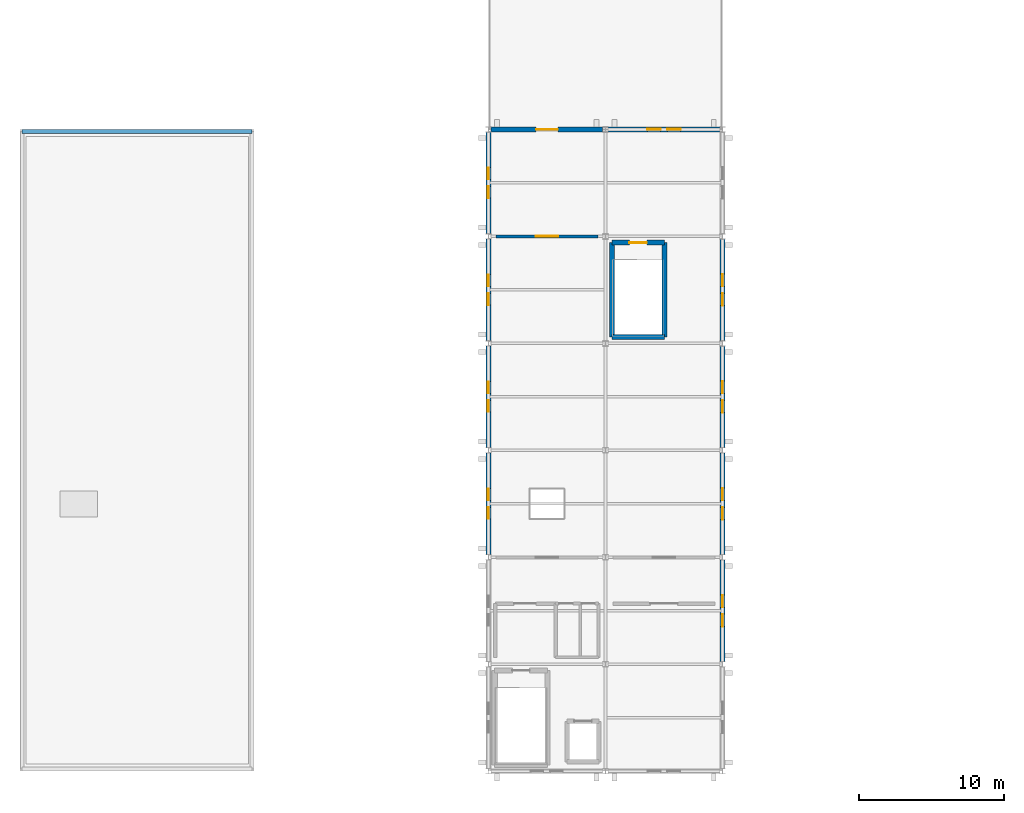
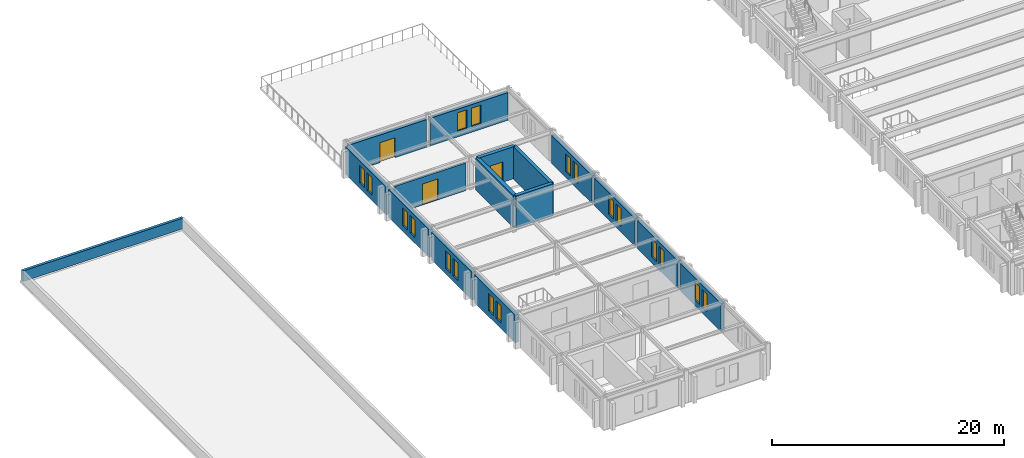
# One storey, part 9 of 19: 18 windows, 16 walls, 3 doors, 21 openings.
"""IFC4 building model written with IfcOpenShell, lengths in metres."""

from ifc_helpers import new_model, si_unit, direction, frame, frame_2d, origin, place, context, subcontext, project, spatial, rectangle, extrude, material, layer, layer_set, type_object, element, fill, save


model = new_model("IFC4")

# Units and contexts
model_context = context("Model", 3, precision=1e-05, world=origin(), true_north=direction((0.0, 1.0)))
body_context = subcontext(model_context, "Body", "Model", "MODEL_VIEW")
ifc_project = project(units=[si_unit("LENGTHUNIT", "METRE"), si_unit("AREAUNIT", "SQUARE_METRE"), si_unit("VOLUMEUNIT", "CUBIC_METRE"), si_unit("PLANEANGLEUNIT", "RADIAN"), si_unit("MASSUNIT", "GRAM", prefix="KILO")], contexts=[model_context])

# Site, building, storey
site_placement = place(None, origin())
site = spatial("IfcSite", under=ifc_project, at=site_placement, CompositionType="ELEMENT")
building_placement = place(site_placement, origin())
building = spatial("IfcBuilding", under=site, at=building_placement, Name="Cimatlan Art Gallery", CompositionType="ELEMENT")
storey_placement = place(building_placement, frame((0.0, 0.0, 17.39990234375)))
storey = spatial("IfcBuildingStorey", under=building, at=storey_placement, Name="L04", CompositionType="ELEMENT", Elevation=17.39990234375)

# Walls
ifc_material_1 = material(Name="Concrete C40/50", Category="concrete")
ifc_layer_1 = layer(ifc_material_1, 0.35009765625)
ifc_layer_set_1 = layer_set([ifc_layer_1], Name="Concrete C40/50")
wall_type_1 = type_object("IfcWallType", Name="W-CORE-350", PredefinedType="SHEAR", material=ifc_layer_set_1)
wall_1_placement = place(storey_placement, frame((42.93994140625, 53.93994140625, 0.0), z_axis=(0.0, 0.0, 1.0), x_axis=(0.0, 1.0, 0.0)))
element("IfcWall", 1, at=wall_1_placement, inside=storey, type_object=wall_type_1, Name="WL-CORE-C8-L04-SW", PredefinedType="SHEAR", context=body_context, shape_type="SweptSolid", body=[
    extrude(rectangle(XDim=6.52001953125, YDim=0.35009765625, at=frame_2d((3.260009765625, 0.0))), origin(), (0.0, 0.0, 1.0), 3.375),
])
wall_2_placement = place(storey_placement, frame((42.93994140625, 53.93994140625, 0.0), z_axis=(0.0, 0.0, 1.0), x_axis=(1.0, 0.0, 0.0)))
element("IfcWall", 2, at=wall_2_placement, inside=storey, type_object=wall_type_1, Name="WL-CORE-C8-L04-SS", PredefinedType="SHEAR", context=body_context, shape_type="SweptSolid", body=[
    extrude(rectangle(XDim=3.64013671875, YDim=0.35009765625, at=frame_2d((1.820068359375, 0.0))), origin(), (0.0, 0.0, 1.0), 3.375),
])
wall_3_placement = place(storey_placement, frame((46.580078125, 53.93994140625, 0.0), z_axis=(0.0, 0.0, 1.0), x_axis=(0.0, 1.0, 0.0)))
element("IfcWall", 3, at=wall_3_placement, inside=storey, type_object=wall_type_1, Name="WL-CORE-C8-L04-SE", PredefinedType="SHEAR", context=body_context, shape_type="SweptSolid", body=[
    extrude(rectangle(XDim=6.52001953125, YDim=0.35009765625, at=frame_2d((3.260009765625, 0.0))), origin(), (0.0, 0.0, 1.0), 3.375),
])

# Wall, opening, door
wall_4_placement = place(storey_placement, frame((42.93994140625, 60.4599609375, 0.0), z_axis=(0.0, 0.0, 1.0), x_axis=(1.0, 0.0, 0.0)))
wall_4 = element("IfcWall", 4, at=wall_4_placement, inside=storey, type_object=wall_type_1, Name="WL-CORE-C8-L04-SN", PredefinedType="SHEAR", context=body_context, shape_type="SweptSolid", body=[
    extrude(rectangle(XDim=3.64013671875, YDim=0.35009765625, at=frame_2d((1.820068359375, 0.0))), origin(), (0.0, 0.0, 1.0), 3.375),
])
opening_1_placement = place(wall_4_placement, frame((1.219970703125, 0.0, 0.0)))
opening_1 = element("IfcOpeningElement", 5, at=opening_1_placement, cuts=wall_4, Name="Opening FD-C8-L04", PredefinedType="OPENING", context=body_context, shape_type="SweptSolid", body=[
    extrude(rectangle(XDim=1.199951171875, YDim=2.14990234375, at=frame_2d((0.60009765625, 1.074951171875))), frame((0.0, 0.18505859375, 0.0), z_axis=(0.0, -1.0, 0.0), x_axis=(1.0, 0.0, 0.0)), (0.0, 0.0, 1.0), 0.3701171875),
])
ifc_material_2 = material(Name="Fire-resisting steel acoustic stair door", Category="steel")
door_type_1 = type_object("IfcDoorType", Name="FD-ST-1200", OperationType="NOTDEFINED", PredefinedType="DOOR", material=ifc_material_2)
door_1_placement = place(opening_1_placement, origin())
door_1 = element("IfcDoor", 6, at=door_1_placement, inside=storey, type_object=door_type_1, Name="DR-C8-L04-ST", OperationType="SINGLE_SWING_LEFT", OverallHeight=2.14990234375, OverallWidth=1.199951171875, PredefinedType="DOOR", context=body_context, shape_type="SweptSolid", body=[
    extrude(rectangle(XDim=1.199951171875, YDim=2.14990234375, at=frame_2d((0.60009765625, 1.074951171875))), frame((0.0, 0.02490234375, 0.0), z_axis=(0.0, -1.0, 0.0), x_axis=(1.0, 0.0, 0.0)), (0.0, 0.0, 1.0), 0.050048828125),
])
fill(opening_1, door_1)

ifc_material_3 = material(Name="Acoustic gypsum and steel stud partition", Category="steel")
ifc_layer_2 = layer(ifc_material_3, 0.205078125)
ifc_layer_set_2 = layer_set([ifc_layer_2], Name="Acoustic gypsum and steel stud partition")
wall_type_2 = type_object("IfcWallType", Name="W-GAL-205", PredefinedType="PARTITIONING", material=ifc_layer_set_2)
wall_5_placement = place(storey_placement, frame((34.919921875, 60.89990234375, 0.0), z_axis=(0.0, 0.0, 1.0), x_axis=(1.0, 0.0, 0.0)))
wall_5 = element("IfcWall", 7, at=wall_5_placement, inside=storey, type_object=wall_type_2, Name="WL-RM-L04-GAL-W3", PredefinedType="PARTITIONING", context=body_context, shape_type="SweptSolid", body=[
    extrude(rectangle(XDim=7.06005859375, YDim=0.205078125, at=frame_2d((3.530029296875, 0.0))), origin(), (0.0, 0.0, 1.0), 2.9130859375),
])
opening_2_placement = place(wall_5_placement, frame((2.7548828125, 0.0, 0.0)))
opening_2 = element("IfcOpeningElement", 8, at=opening_2_placement, cuts=wall_5, Name="Opening DI-0264", PredefinedType="OPENING", context=body_context, shape_type="SweptSolid", body=[
    extrude(rectangle(XDim=1.550048828125, YDim=2.199951171875, at=frame_2d((0.77490234375, 1.10009765625))), frame((0.0, 0.112548828125, 0.0), z_axis=(0.0, -1.0, 0.0), x_axis=(1.0, 0.0, 0.0)), (0.0, 0.0, 1.0), 0.22509765625),
])
ifc_material_4 = material(Name="European oak upper gallery door")
door_type_2 = type_object("IfcDoorType", Name="DI-GL-1550", OperationType="NOTDEFINED", PredefinedType="DOOR", material=ifc_material_4)
door_2_placement = place(opening_2_placement, origin())
door_2 = element("IfcDoor", 9, at=door_2_placement, inside=storey, type_object=door_type_2, Name="DR-RM-L04-GAL-W3", OperationType="SINGLE_SWING_RIGHT", OverallHeight=2.199951171875, OverallWidth=1.550048828125, PredefinedType="DOOR", context=body_context, shape_type="SweptSolid", body=[
    extrude(rectangle(XDim=1.550048828125, YDim=2.199951171875, at=frame_2d((0.77490234375, 1.10009765625))), frame((0.0, 0.02490234375, 0.0), z_axis=(0.0, -1.0, 0.0), x_axis=(1.0, 0.0, 0.0)), (0.0, 0.0, 1.0), 0.050048828125),
])
fill(opening_2, door_2)

# Wall, openings, windows
ifc_material_5 = material(Name="Precast concrete C40/50", Category="concrete")
ifc_layer_3 = layer(ifc_material_5, 0.340087890625)
ifc_layer_set_3 = layer_set([ifc_layer_3], Name="Precast concrete C40/50")
wall_type_3 = type_object("IfcWallType", Name="WL-EXT-STD-340", PredefinedType="SOLIDWALL", material=ifc_layer_set_3)
wall_6_placement = place(storey_placement, frame((34.39990234375, 38.885986328125, 0.0), z_axis=(0.0, 0.0, 1.0), x_axis=(0.0, 1.0, 0.0)))
wall_6 = element("IfcWall", 10, at=wall_6_placement, inside=storey, type_object=wall_type_3, Name="WL-EXT-L04-04-05-W", PredefinedType="SOLIDWALL", context=body_context, shape_type="SweptSolid", body=[
    extrude(rectangle(XDim=7.028076171875, YDim=0.340087890625, at=frame_2d((3.51416015625, 0.0))), origin(), (0.0, 0.0, 1.0), 2.908203125),
])
opening_3_placement = place(wall_6_placement, frame((2.464111328125, 0.0, 0.60009765625)))
opening_3 = element("IfcOpeningElement", 11, at=opening_3_placement, cuts=wall_6, Name="Opening WN-0307", PredefinedType="OPENING", context=body_context, shape_type="SweptSolid", body=[
    extrude(rectangle(XDim=0.81005859375, YDim=1.840087890625, at=frame_2d((0.405029296875, 0.919921875))), frame((0.0, 0.18017578125, 0.0), z_axis=(0.0, -1.0, 0.0), x_axis=(1.0, 0.0, 0.0)), (0.0, 0.0, 1.0), 0.360107421875),
])
opening_4_placement = place(wall_6_placement, frame((3.75390625, 0.0, 0.60009765625)))
opening_4 = element("IfcOpeningElement", 12, at=opening_4_placement, cuts=wall_6, Name="Opening WN-0308", PredefinedType="OPENING", context=body_context, shape_type="SweptSolid", body=[
    extrude(rectangle(XDim=0.81005859375, YDim=1.840087890625, at=frame_2d((0.405029296875, 0.919921875))), frame((0.0, 0.18017578125, 0.0), z_axis=(0.0, -1.0, 0.0), x_axis=(1.0, 0.0, 0.0)), (0.0, 0.0, 1.0), 0.360107421875),
])
ifc_material_6 = material(Name="Low-E laminated double glazing in bronze lancet frame", Category="glass")
window_type_1 = type_object("IfcWindowType", Name="WIN-W-L04-0810X1840", PartitioningType="SINGLE_PANEL", PredefinedType="WINDOW", material=ifc_material_6)
window_1_placement = place(opening_3_placement, origin())
window_1 = element("IfcWindow", 13, at=window_1_placement, inside=storey, type_object=window_type_1, Name="WIN-0307", OverallHeight=1.840087890625, OverallWidth=0.81005859375, PartitioningType="SINGLE_PANEL", PredefinedType="WINDOW", context=body_context, shape_type="SweptSolid", body=[
    extrude(rectangle(XDim=0.81005859375, YDim=1.840087890625, at=frame_2d((0.405029296875, 0.919921875))), frame((0.0, 0.030029296875, 0.0), z_axis=(0.0, -1.0, 0.0), x_axis=(1.0, 0.0, 0.0)), (0.0, 0.0, 1.0), 0.06005859375),
])
fill(opening_3, window_1)
window_2_placement = place(opening_4_placement, origin())
window_2 = element("IfcWindow", 14, at=window_2_placement, inside=storey, type_object=window_type_1, Name="WIN-0308", OverallHeight=1.840087890625, OverallWidth=0.81005859375, PartitioningType="SINGLE_PANEL", PredefinedType="WINDOW", context=body_context, shape_type="SweptSolid", body=[
    extrude(rectangle(XDim=0.81005859375, YDim=1.840087890625, at=frame_2d((0.405029296875, 0.919921875))), frame((0.0, 0.030029296875, 0.0), z_axis=(0.0, -1.0, 0.0), x_axis=(1.0, 0.0, 0.0)), (0.0, 0.0, 1.0), 0.06005859375),
])
fill(opening_4, window_2)

wall_7_placement = place(storey_placement, frame((34.39990234375, 46.285888671875, 0.0), z_axis=(0.0, 0.0, 1.0), x_axis=(0.0, 1.0, 0.0)))
wall_7 = element("IfcWall", 15, at=wall_7_placement, inside=storey, type_object=wall_type_3, Name="WL-EXT-L04-04-06-W", PredefinedType="SOLIDWALL", context=body_context, shape_type="SweptSolid", body=[
    extrude(rectangle(XDim=7.028076171875, YDim=0.340087890625, at=frame_2d((3.51416015625, 0.0))), origin(), (0.0, 0.0, 1.0), 2.908203125),
])
opening_5_placement = place(wall_7_placement, frame((2.464111328125, 0.0, 0.60009765625)))
opening_5 = element("IfcOpeningElement", 16, at=opening_5_placement, cuts=wall_7, Name="Opening WN-0309", PredefinedType="OPENING", context=body_context, shape_type="SweptSolid", body=[
    extrude(rectangle(XDim=0.81005859375, YDim=1.840087890625, at=frame_2d((0.405029296875, 0.919921875))), frame((0.0, 0.18017578125, 0.0), z_axis=(0.0, -1.0, 0.0), x_axis=(1.0, 0.0, 0.0)), (0.0, 0.0, 1.0), 0.360107421875),
])
opening_6_placement = place(wall_7_placement, frame((3.75390625, 0.0, 0.60009765625)))
opening_6 = element("IfcOpeningElement", 17, at=opening_6_placement, cuts=wall_7, Name="Opening WN-0310", PredefinedType="OPENING", context=body_context, shape_type="SweptSolid", body=[
    extrude(rectangle(XDim=0.81005859375, YDim=1.840087890625, at=frame_2d((0.405029296875, 0.919921875))), frame((0.0, 0.18017578125, 0.0), z_axis=(0.0, -1.0, 0.0), x_axis=(1.0, 0.0, 0.0)), (0.0, 0.0, 1.0), 0.360107421875),
])
window_3_placement = place(opening_5_placement, origin())
window_3 = element("IfcWindow", 18, at=window_3_placement, inside=storey, type_object=window_type_1, Name="WIN-0309", OverallHeight=1.840087890625, OverallWidth=0.81005859375, PartitioningType="SINGLE_PANEL", PredefinedType="WINDOW", context=body_context, shape_type="SweptSolid", body=[
    extrude(rectangle(XDim=0.81005859375, YDim=1.840087890625, at=frame_2d((0.405029296875, 0.919921875))), frame((0.0, 0.030029296875, 0.0), z_axis=(0.0, -1.0, 0.0), x_axis=(1.0, 0.0, 0.0)), (0.0, 0.0, 1.0), 0.06005859375),
])
fill(opening_5, window_3)
window_4_placement = place(opening_6_placement, origin())
window_4 = element("IfcWindow", 19, at=window_4_placement, inside=storey, type_object=window_type_1, Name="WIN-0310", OverallHeight=1.840087890625, OverallWidth=0.81005859375, PartitioningType="SINGLE_PANEL", PredefinedType="WINDOW", context=body_context, shape_type="SweptSolid", body=[
    extrude(rectangle(XDim=0.81005859375, YDim=1.840087890625, at=frame_2d((0.405029296875, 0.919921875))), frame((0.0, 0.030029296875, 0.0), z_axis=(0.0, -1.0, 0.0), x_axis=(1.0, 0.0, 0.0)), (0.0, 0.0, 1.0), 0.06005859375),
])
fill(opening_6, window_4)

wall_8_placement = place(storey_placement, frame((34.39990234375, 53.68603515625, 0.0), z_axis=(0.0, 0.0, 1.0), x_axis=(0.0, 1.0, 0.0)))
wall_8 = element("IfcWall", 20, at=wall_8_placement, inside=storey, type_object=wall_type_3, Name="WL-EXT-L04-04-07-W", PredefinedType="SOLIDWALL", context=body_context, shape_type="SweptSolid", body=[
    extrude(rectangle(XDim=7.028076171875, YDim=0.340087890625, at=frame_2d((3.51416015625, 0.0))), origin(), (0.0, 0.0, 1.0), 2.908203125),
])
opening_7_placement = place(wall_8_placement, frame((2.464111328125, 0.0, 0.60009765625)))
opening_7 = element("IfcOpeningElement", 21, at=opening_7_placement, cuts=wall_8, Name="Opening WN-0311", PredefinedType="OPENING", context=body_context, shape_type="SweptSolid", body=[
    extrude(rectangle(XDim=0.81005859375, YDim=1.840087890625, at=frame_2d((0.405029296875, 0.919921875))), frame((0.0, 0.18017578125, 0.0), z_axis=(0.0, -1.0, 0.0), x_axis=(1.0, 0.0, 0.0)), (0.0, 0.0, 1.0), 0.360107421875),
])
opening_8_placement = place(wall_8_placement, frame((3.75390625, 0.0, 0.60009765625)))
opening_8 = element("IfcOpeningElement", 22, at=opening_8_placement, cuts=wall_8, Name="Opening WN-0312", PredefinedType="OPENING", context=body_context, shape_type="SweptSolid", body=[
    extrude(rectangle(XDim=0.81005859375, YDim=1.840087890625, at=frame_2d((0.405029296875, 0.919921875))), frame((0.0, 0.18017578125, 0.0), z_axis=(0.0, -1.0, 0.0), x_axis=(1.0, 0.0, 0.0)), (0.0, 0.0, 1.0), 0.360107421875),
])
window_5_placement = place(opening_7_placement, origin())
window_5 = element("IfcWindow", 23, at=window_5_placement, inside=storey, type_object=window_type_1, Name="WIN-0311", OverallHeight=1.840087890625, OverallWidth=0.81005859375, PartitioningType="SINGLE_PANEL", PredefinedType="WINDOW", context=body_context, shape_type="SweptSolid", body=[
    extrude(rectangle(XDim=0.81005859375, YDim=1.840087890625, at=frame_2d((0.405029296875, 0.919921875))), frame((0.0, 0.030029296875, 0.0), z_axis=(0.0, -1.0, 0.0), x_axis=(1.0, 0.0, 0.0)), (0.0, 0.0, 1.0), 0.06005859375),
])
fill(opening_7, window_5)
window_6_placement = place(opening_8_placement, origin())
window_6 = element("IfcWindow", 24, at=window_6_placement, inside=storey, type_object=window_type_1, Name="WIN-0312", OverallHeight=1.840087890625, OverallWidth=0.81005859375, PartitioningType="SINGLE_PANEL", PredefinedType="WINDOW", context=body_context, shape_type="SweptSolid", body=[
    extrude(rectangle(XDim=0.81005859375, YDim=1.840087890625, at=frame_2d((0.405029296875, 0.919921875))), frame((0.0, 0.030029296875, 0.0), z_axis=(0.0, -1.0, 0.0), x_axis=(1.0, 0.0, 0.0)), (0.0, 0.0, 1.0), 0.06005859375),
])
fill(opening_8, window_6)

# Wall, opening, door
wall_9_placement = place(storey_placement, frame((34.589599609375, 68.300048828125, 0.0), z_axis=(0.0, 0.0, 1.0), x_axis=(1.0, 0.0, 0.0)))
wall_9 = element("IfcWall", 25, at=wall_9_placement, inside=storey, type_object=wall_type_3, Name="WL-EXT-L04-04-08-N", PredefinedType="SOLIDWALL", context=body_context, shape_type="SweptSolid", body=[
    extrude(rectangle(XDim=7.719482421875, YDim=0.340087890625, at=frame_2d((3.85986328125, 0.0))), origin(), (0.0, 0.0, 1.0), 2.908203125),
])
opening_9_placement = place(wall_9_placement, frame((3.109619140625, 0.0, 0.0)))
opening_9 = element("IfcOpeningElement", 26, at=opening_9_placement, cuts=wall_9, Name="Opening D-L04-T16", PredefinedType="OPENING", context=body_context, shape_type="SweptSolid", body=[
    extrude(rectangle(XDim=1.5, YDim=2.10009765625, at=frame_2d((0.75, 1.050048828125))), frame((0.0, 0.18017578125, 0.0), z_axis=(0.0, -1.0, 0.0), x_axis=(1.0, 0.0, 0.0)), (0.0, 0.0, 1.0), 0.360107421875),
])
ifc_material_7 = material(Name="Anodised bronze and laminated safety glass door", Category="glass")
door_type_3 = type_object("IfcDoorType", Name="DE-TR-1500", OperationType="NOTDEFINED", PredefinedType="DOOR", material=ifc_material_7)
door_3_placement = place(opening_9_placement, origin())
door_3 = element("IfcDoor", 27, at=door_3_placement, inside=storey, type_object=door_type_3, Name="D-L04-T16", OperationType="SINGLE_SWING_LEFT", OverallHeight=2.10009765625, OverallWidth=1.5, PredefinedType="DOOR", context=body_context, shape_type="SweptSolid", body=[
    extrude(rectangle(XDim=1.5, YDim=2.10009765625, at=frame_2d((0.75, 1.050048828125))), frame((0.0, 0.02490234375, 0.0), z_axis=(0.0, -1.0, 0.0), x_axis=(1.0, 0.0, 0.0)), (0.0, 0.0, 1.0), 0.050048828125),
])
fill(opening_9, door_3)

# Wall, openings, windows
wall_10_placement = place(storey_placement, frame((34.39990234375, 61.0859375, 0.0), z_axis=(0.0, 0.0, 1.0), x_axis=(0.0, 1.0, 0.0)))
wall_10 = element("IfcWall", 28, at=wall_10_placement, inside=storey, type_object=wall_type_3, Name="WL-EXT-L04-04-08-W", PredefinedType="SOLIDWALL", context=body_context, shape_type="SweptSolid", body=[
    extrude(rectangle(XDim=7.028076171875, YDim=0.340087890625, at=frame_2d((3.51416015625, 0.0))), origin(), (0.0, 0.0, 1.0), 2.908203125),
])
opening_10_placement = place(wall_10_placement, frame((2.464111328125, 0.0, 0.60009765625)))
opening_10 = element("IfcOpeningElement", 29, at=opening_10_placement, cuts=wall_10, Name="Opening WN-0313", PredefinedType="OPENING", context=body_context, shape_type="SweptSolid", body=[
    extrude(rectangle(XDim=0.81005859375, YDim=1.840087890625, at=frame_2d((0.405029296875, 0.919921875))), frame((0.0, 0.18017578125, 0.0), z_axis=(0.0, -1.0, 0.0), x_axis=(1.0, 0.0, 0.0)), (0.0, 0.0, 1.0), 0.360107421875),
])
opening_11_placement = place(wall_10_placement, frame((3.75390625, 0.0, 0.60009765625)))
opening_11 = element("IfcOpeningElement", 30, at=opening_11_placement, cuts=wall_10, Name="Opening WN-0314", PredefinedType="OPENING", context=body_context, shape_type="SweptSolid", body=[
    extrude(rectangle(XDim=0.81005859375, YDim=1.840087890625, at=frame_2d((0.405029296875, 0.919921875))), frame((0.0, 0.18017578125, 0.0), z_axis=(0.0, -1.0, 0.0), x_axis=(1.0, 0.0, 0.0)), (0.0, 0.0, 1.0), 0.360107421875),
])
window_7_placement = place(opening_10_placement, origin())
window_7 = element("IfcWindow", 31, at=window_7_placement, inside=storey, type_object=window_type_1, Name="WIN-0313", OverallHeight=1.840087890625, OverallWidth=0.81005859375, PartitioningType="SINGLE_PANEL", PredefinedType="WINDOW", context=body_context, shape_type="SweptSolid", body=[
    extrude(rectangle(XDim=0.81005859375, YDim=1.840087890625, at=frame_2d((0.405029296875, 0.919921875))), frame((0.0, 0.030029296875, 0.0), z_axis=(0.0, -1.0, 0.0), x_axis=(1.0, 0.0, 0.0)), (0.0, 0.0, 1.0), 0.06005859375),
])
fill(opening_10, window_7)
window_8_placement = place(opening_11_placement, origin())
window_8 = element("IfcWindow", 32, at=window_8_placement, inside=storey, type_object=window_type_1, Name="WIN-0314", OverallHeight=1.840087890625, OverallWidth=0.81005859375, PartitioningType="SINGLE_PANEL", PredefinedType="WINDOW", context=body_context, shape_type="SweptSolid", body=[
    extrude(rectangle(XDim=0.81005859375, YDim=1.840087890625, at=frame_2d((0.405029296875, 0.919921875))), frame((0.0, 0.030029296875, 0.0), z_axis=(0.0, -1.0, 0.0), x_axis=(1.0, 0.0, 0.0)), (0.0, 0.0, 1.0), 0.06005859375),
])
fill(opening_11, window_8)

wall_11_placement = place(storey_placement, frame((50.60009765625, 38.510009765625, 0.0), z_axis=(0.0, 0.0, 1.0), x_axis=(0.0, -1.0, 0.0)))
wall_11 = element("IfcWall", 33, at=wall_11_placement, inside=storey, type_object=wall_type_3, Name="WL-EXT-L04-05-04-E", PredefinedType="SOLIDWALL", context=body_context, shape_type="SweptSolid", body=[
    extrude(rectangle(XDim=7.02001953125, YDim=0.340087890625, at=frame_2d((3.510009765625, 0.0))), origin(), (0.0, 0.0, 1.0), 2.908203125),
])
opening_12_placement = place(wall_11_placement, frame((2.419921875, 0.0, 0.60009765625)))
opening_12 = element("IfcOpeningElement", 34, at=opening_12_placement, cuts=wall_11, Name="Opening WN-0319", PredefinedType="OPENING", context=body_context, shape_type="SweptSolid", body=[
    extrude(rectangle(XDim=0.85009765625, YDim=1.8798828125, at=frame_2d((0.425048828125, 0.93994140625))), frame((0.0, 0.18017578125, 0.0), z_axis=(0.0, -1.0, 0.0), x_axis=(1.0, 0.0, 0.0)), (0.0, 0.0, 1.0), 0.360107421875),
])
opening_13_placement = place(wall_11_placement, frame((3.75, 0.0, 0.60009765625)))
opening_13 = element("IfcOpeningElement", 35, at=opening_13_placement, cuts=wall_11, Name="Opening WN-0320", PredefinedType="OPENING", context=body_context, shape_type="SweptSolid", body=[
    extrude(rectangle(XDim=0.85009765625, YDim=1.8798828125, at=frame_2d((0.425048828125, 0.93994140625))), frame((0.0, 0.18017578125, 0.0), z_axis=(0.0, -1.0, 0.0), x_axis=(1.0, 0.0, 0.0)), (0.0, 0.0, 1.0), 0.360107421875),
])
window_type_2 = type_object("IfcWindowType", Name="WIN-E-L04-0850X1880", PartitioningType="SINGLE_PANEL", PredefinedType="WINDOW", material=ifc_material_6)
window_9_placement = place(opening_12_placement, origin())
window_9 = element("IfcWindow", 36, at=window_9_placement, inside=storey, type_object=window_type_2, Name="WIN-0319", OverallHeight=1.8798828125, OverallWidth=0.85009765625, PartitioningType="SINGLE_PANEL", PredefinedType="WINDOW", context=body_context, shape_type="SweptSolid", body=[
    extrude(rectangle(XDim=0.85009765625, YDim=1.8798828125, at=frame_2d((0.425048828125, 0.93994140625))), frame((0.0, 0.030029296875, 0.0), z_axis=(0.0, -1.0, 0.0), x_axis=(1.0, 0.0, 0.0)), (0.0, 0.0, 1.0), 0.06005859375),
])
fill(opening_12, window_9)
window_10_placement = place(opening_13_placement, origin())
window_10 = element("IfcWindow", 37, at=window_10_placement, inside=storey, type_object=window_type_2, Name="WIN-0320", OverallHeight=1.8798828125, OverallWidth=0.85009765625, PartitioningType="SINGLE_PANEL", PredefinedType="WINDOW", context=body_context, shape_type="SweptSolid", body=[
    extrude(rectangle(XDim=0.85009765625, YDim=1.8798828125, at=frame_2d((0.425048828125, 0.93994140625))), frame((0.0, 0.030029296875, 0.0), z_axis=(0.0, -1.0, 0.0), x_axis=(1.0, 0.0, 0.0)), (0.0, 0.0, 1.0), 0.06005859375),
])
fill(opening_13, window_10)

wall_12_placement = place(storey_placement, frame((50.60009765625, 45.909912109375, 0.0), z_axis=(0.0, 0.0, 1.0), x_axis=(0.0, -1.0, 0.0)))
wall_12 = element("IfcWall", 38, at=wall_12_placement, inside=storey, type_object=wall_type_3, Name="WL-EXT-L04-05-05-E", PredefinedType="SOLIDWALL", context=body_context, shape_type="SweptSolid", body=[
    extrude(rectangle(XDim=7.02001953125, YDim=0.340087890625, at=frame_2d((3.510009765625, 0.0))), origin(), (0.0, 0.0, 1.0), 2.908203125),
])
opening_14_placement = place(wall_12_placement, frame((2.419921875, 0.0, 0.60009765625)))
opening_14 = element("IfcOpeningElement", 39, at=opening_14_placement, cuts=wall_12, Name="Opening WN-0321", PredefinedType="OPENING", context=body_context, shape_type="SweptSolid", body=[
    extrude(rectangle(XDim=0.85009765625, YDim=1.8798828125, at=frame_2d((0.425048828125, 0.93994140625))), frame((0.0, 0.18017578125, 0.0), z_axis=(0.0, -1.0, 0.0), x_axis=(1.0, 0.0, 0.0)), (0.0, 0.0, 1.0), 0.360107421875),
])
opening_15_placement = place(wall_12_placement, frame((3.75, 0.0, 0.60009765625)))
opening_15 = element("IfcOpeningElement", 40, at=opening_15_placement, cuts=wall_12, Name="Opening WN-0322", PredefinedType="OPENING", context=body_context, shape_type="SweptSolid", body=[
    extrude(rectangle(XDim=0.85009765625, YDim=1.8798828125, at=frame_2d((0.425048828125, 0.93994140625))), frame((0.0, 0.18017578125, 0.0), z_axis=(0.0, -1.0, 0.0), x_axis=(1.0, 0.0, 0.0)), (0.0, 0.0, 1.0), 0.360107421875),
])
window_11_placement = place(opening_14_placement, origin())
window_11 = element("IfcWindow", 41, at=window_11_placement, inside=storey, type_object=window_type_2, Name="WIN-0321", OverallHeight=1.8798828125, OverallWidth=0.85009765625, PartitioningType="SINGLE_PANEL", PredefinedType="WINDOW", context=body_context, shape_type="SweptSolid", body=[
    extrude(rectangle(XDim=0.85009765625, YDim=1.8798828125, at=frame_2d((0.425048828125, 0.93994140625))), frame((0.0, 0.030029296875, 0.0), z_axis=(0.0, -1.0, 0.0), x_axis=(1.0, 0.0, 0.0)), (0.0, 0.0, 1.0), 0.06005859375),
])
fill(opening_14, window_11)
window_12_placement = place(opening_15_placement, origin())
window_12 = element("IfcWindow", 42, at=window_12_placement, inside=storey, type_object=window_type_2, Name="WIN-0322", OverallHeight=1.8798828125, OverallWidth=0.85009765625, PartitioningType="SINGLE_PANEL", PredefinedType="WINDOW", context=body_context, shape_type="SweptSolid", body=[
    extrude(rectangle(XDim=0.85009765625, YDim=1.8798828125, at=frame_2d((0.425048828125, 0.93994140625))), frame((0.0, 0.030029296875, 0.0), z_axis=(0.0, -1.0, 0.0), x_axis=(1.0, 0.0, 0.0)), (0.0, 0.0, 1.0), 0.06005859375),
])
fill(opening_15, window_12)

wall_13_placement = place(storey_placement, frame((50.60009765625, 53.31005859375, 0.0), z_axis=(0.0, 0.0, 1.0), x_axis=(0.0, -1.0, 0.0)))
wall_13 = element("IfcWall", 43, at=wall_13_placement, inside=storey, type_object=wall_type_3, Name="WL-EXT-L04-05-06-E", PredefinedType="SOLIDWALL", context=body_context, shape_type="SweptSolid", body=[
    extrude(rectangle(XDim=7.02001953125, YDim=0.340087890625, at=frame_2d((3.510009765625, 0.0))), origin(), (0.0, 0.0, 1.0), 2.908203125),
])
opening_16_placement = place(wall_13_placement, frame((2.419921875, 0.0, 0.60009765625)))
opening_16 = element("IfcOpeningElement", 44, at=opening_16_placement, cuts=wall_13, Name="Opening WN-0323", PredefinedType="OPENING", context=body_context, shape_type="SweptSolid", body=[
    extrude(rectangle(XDim=0.85009765625, YDim=1.8798828125, at=frame_2d((0.425048828125, 0.93994140625))), frame((0.0, 0.18017578125, 0.0), z_axis=(0.0, -1.0, 0.0), x_axis=(1.0, 0.0, 0.0)), (0.0, 0.0, 1.0), 0.360107421875),
])
opening_17_placement = place(wall_13_placement, frame((3.75, 0.0, 0.60009765625)))
opening_17 = element("IfcOpeningElement", 45, at=opening_17_placement, cuts=wall_13, Name="Opening WN-0324", PredefinedType="OPENING", context=body_context, shape_type="SweptSolid", body=[
    extrude(rectangle(XDim=0.85009765625, YDim=1.8798828125, at=frame_2d((0.425048828125, 0.93994140625))), frame((0.0, 0.18017578125, 0.0), z_axis=(0.0, -1.0, 0.0), x_axis=(1.0, 0.0, 0.0)), (0.0, 0.0, 1.0), 0.360107421875),
])
window_13_placement = place(opening_16_placement, origin())
window_13 = element("IfcWindow", 46, at=window_13_placement, inside=storey, type_object=window_type_2, Name="WIN-0323", OverallHeight=1.8798828125, OverallWidth=0.85009765625, PartitioningType="SINGLE_PANEL", PredefinedType="WINDOW", context=body_context, shape_type="SweptSolid", body=[
    extrude(rectangle(XDim=0.85009765625, YDim=1.8798828125, at=frame_2d((0.425048828125, 0.93994140625))), frame((0.0, 0.030029296875, 0.0), z_axis=(0.0, -1.0, 0.0), x_axis=(1.0, 0.0, 0.0)), (0.0, 0.0, 1.0), 0.06005859375),
])
fill(opening_16, window_13)
window_14_placement = place(opening_17_placement, origin())
window_14 = element("IfcWindow", 47, at=window_14_placement, inside=storey, type_object=window_type_2, Name="WIN-0324", OverallHeight=1.8798828125, OverallWidth=0.85009765625, PartitioningType="SINGLE_PANEL", PredefinedType="WINDOW", context=body_context, shape_type="SweptSolid", body=[
    extrude(rectangle(XDim=0.85009765625, YDim=1.8798828125, at=frame_2d((0.425048828125, 0.93994140625))), frame((0.0, 0.030029296875, 0.0), z_axis=(0.0, -1.0, 0.0), x_axis=(1.0, 0.0, 0.0)), (0.0, 0.0, 1.0), 0.06005859375),
])
fill(opening_17, window_14)

wall_14_placement = place(storey_placement, frame((50.60009765625, 60.7099609375, 0.0), z_axis=(0.0, 0.0, 1.0), x_axis=(0.0, -1.0, 0.0)))
wall_14 = element("IfcWall", 48, at=wall_14_placement, inside=storey, type_object=wall_type_3, Name="WL-EXT-L04-05-07-E", PredefinedType="SOLIDWALL", context=body_context, shape_type="SweptSolid", body=[
    extrude(rectangle(XDim=7.02001953125, YDim=0.340087890625, at=frame_2d((3.510009765625, 0.0))), origin(), (0.0, 0.0, 1.0), 2.908203125),
])
opening_18_placement = place(wall_14_placement, frame((2.419921875, 0.0, 0.60009765625)))
opening_18 = element("IfcOpeningElement", 49, at=opening_18_placement, cuts=wall_14, Name="Opening WN-0325", PredefinedType="OPENING", context=body_context, shape_type="SweptSolid", body=[
    extrude(rectangle(XDim=0.85009765625, YDim=1.8798828125, at=frame_2d((0.425048828125, 0.93994140625))), frame((0.0, 0.18017578125, 0.0), z_axis=(0.0, -1.0, 0.0), x_axis=(1.0, 0.0, 0.0)), (0.0, 0.0, 1.0), 0.360107421875),
])
opening_19_placement = place(wall_14_placement, frame((3.75, 0.0, 0.60009765625)))
opening_19 = element("IfcOpeningElement", 50, at=opening_19_placement, cuts=wall_14, Name="Opening WN-0326", PredefinedType="OPENING", context=body_context, shape_type="SweptSolid", body=[
    extrude(rectangle(XDim=0.85009765625, YDim=1.8798828125, at=frame_2d((0.425048828125, 0.93994140625))), frame((0.0, 0.18017578125, 0.0), z_axis=(0.0, -1.0, 0.0), x_axis=(1.0, 0.0, 0.0)), (0.0, 0.0, 1.0), 0.360107421875),
])
window_15_placement = place(opening_18_placement, origin())
window_15 = element("IfcWindow", 51, at=window_15_placement, inside=storey, type_object=window_type_2, Name="WIN-0325", OverallHeight=1.8798828125, OverallWidth=0.85009765625, PartitioningType="SINGLE_PANEL", PredefinedType="WINDOW", context=body_context, shape_type="SweptSolid", body=[
    extrude(rectangle(XDim=0.85009765625, YDim=1.8798828125, at=frame_2d((0.425048828125, 0.93994140625))), frame((0.0, 0.030029296875, 0.0), z_axis=(0.0, -1.0, 0.0), x_axis=(1.0, 0.0, 0.0)), (0.0, 0.0, 1.0), 0.06005859375),
])
fill(opening_18, window_15)
window_16_placement = place(opening_19_placement, origin())
window_16 = element("IfcWindow", 52, at=window_16_placement, inside=storey, type_object=window_type_2, Name="WIN-0326", OverallHeight=1.8798828125, OverallWidth=0.85009765625, PartitioningType="SINGLE_PANEL", PredefinedType="WINDOW", context=body_context, shape_type="SweptSolid", body=[
    extrude(rectangle(XDim=0.85009765625, YDim=1.8798828125, at=frame_2d((0.425048828125, 0.93994140625))), frame((0.0, 0.030029296875, 0.0), z_axis=(0.0, -1.0, 0.0), x_axis=(1.0, 0.0, 0.0)), (0.0, 0.0, 1.0), 0.06005859375),
])
fill(opening_19, window_16)

wall_15_placement = place(storey_placement, frame((42.69091796875, 68.300048828125, 0.0), z_axis=(0.0, 0.0, 1.0), x_axis=(1.0, 0.0, 0.0)))
wall_15 = element("IfcWall", 53, at=wall_15_placement, inside=storey, type_object=wall_type_3, Name="WL-EXT-L04-05-08-N", PredefinedType="SOLIDWALL", context=body_context, shape_type="SweptSolid", body=[
    extrude(rectangle(XDim=7.718017578125, YDim=0.340087890625, at=frame_2d((3.85888671875, 0.0))), origin(), (0.0, 0.0, 1.0), 2.908203125),
])
opening_20_placement = place(wall_15_placement, frame((2.708984375, 0.0, 0.60009765625)))
opening_20 = element("IfcOpeningElement", 54, at=opening_20_placement, cuts=wall_15, Name="Opening WN-0327", PredefinedType="OPENING", context=body_context, shape_type="SweptSolid", body=[
    extrude(rectangle(XDim=0.909912109375, YDim=1.93994140625, at=frame_2d((0.455078125, 0.969970703125))), frame((0.0, 0.18017578125, 0.0), z_axis=(0.0, -1.0, 0.0), x_axis=(1.0, 0.0, 0.0)), (0.0, 0.0, 1.0), 0.360107421875),
])
opening_21_placement = place(wall_15_placement, frame((4.09912109375, 0.0, 0.60009765625)))
opening_21 = element("IfcOpeningElement", 55, at=opening_21_placement, cuts=wall_15, Name="Opening WN-0328", PredefinedType="OPENING", context=body_context, shape_type="SweptSolid", body=[
    extrude(rectangle(XDim=0.909912109375, YDim=1.93994140625, at=frame_2d((0.455078125, 0.969970703125))), frame((0.0, 0.18017578125, 0.0), z_axis=(0.0, -1.0, 0.0), x_axis=(1.0, 0.0, 0.0)), (0.0, 0.0, 1.0), 0.360107421875),
])
window_type_3 = type_object("IfcWindowType", Name="WIN-N-L04-0910X1940", PartitioningType="SINGLE_PANEL", PredefinedType="WINDOW", material=ifc_material_6)
window_17_placement = place(opening_20_placement, origin())
window_17 = element("IfcWindow", 56, at=window_17_placement, inside=storey, type_object=window_type_3, Name="WIN-0327", OverallHeight=1.93994140625, OverallWidth=0.909912109375, PartitioningType="SINGLE_PANEL", PredefinedType="WINDOW", context=body_context, shape_type="SweptSolid", body=[
    extrude(rectangle(XDim=0.909912109375, YDim=1.93994140625, at=frame_2d((0.455078125, 0.969970703125))), frame((0.0, 0.030029296875, 0.0), z_axis=(0.0, -1.0, 0.0), x_axis=(1.0, 0.0, 0.0)), (0.0, 0.0, 1.0), 0.06005859375),
])
fill(opening_20, window_17)
window_18_placement = place(opening_21_placement, origin())
window_18 = element("IfcWindow", 57, at=window_18_placement, inside=storey, type_object=window_type_3, Name="WIN-0328", OverallHeight=1.93994140625, OverallWidth=0.909912109375, PartitioningType="SINGLE_PANEL", PredefinedType="WINDOW", context=body_context, shape_type="SweptSolid", body=[
    extrude(rectangle(XDim=0.909912109375, YDim=1.93994140625, at=frame_2d((0.455078125, 0.969970703125))), frame((0.0, 0.030029296875, 0.0), z_axis=(0.0, -1.0, 0.0), x_axis=(1.0, 0.0, 0.0)), (0.0, 0.0, 1.0), 0.06005859375),
])
fill(opening_21, window_18)

# Wall
ifc_layer_4 = layer(ifc_material_5, 0.264892578125)
ifc_layer_set_4 = layer_set([ifc_layer_4], Name="Precast concrete C40/50")
wall_type_4 = type_object("IfcWallType", Name="WL-PAR-265", PredefinedType="PARAPET", material=ifc_layer_set_4)
wall_16_placement = place(storey_placement, frame((18.050048828125, 68.14990234375, 0.0), z_axis=(0.0, 0.0, 1.0), x_axis=(-1.0, 0.0, 0.0)))
element("IfcWall", 58, at=wall_16_placement, inside=storey, type_object=wall_type_4, Name="WL-PAR-003", PredefinedType="PARAPET", context=body_context, shape_type="SweptSolid", body=[
    extrude(rectangle(XDim=15.900146484375, YDim=0.264892578125, at=frame_2d((7.9501953125, 0.0))), origin(), (0.0, 0.0, 1.0), 1.1201171875),
])

save(model, "model.ifc")
